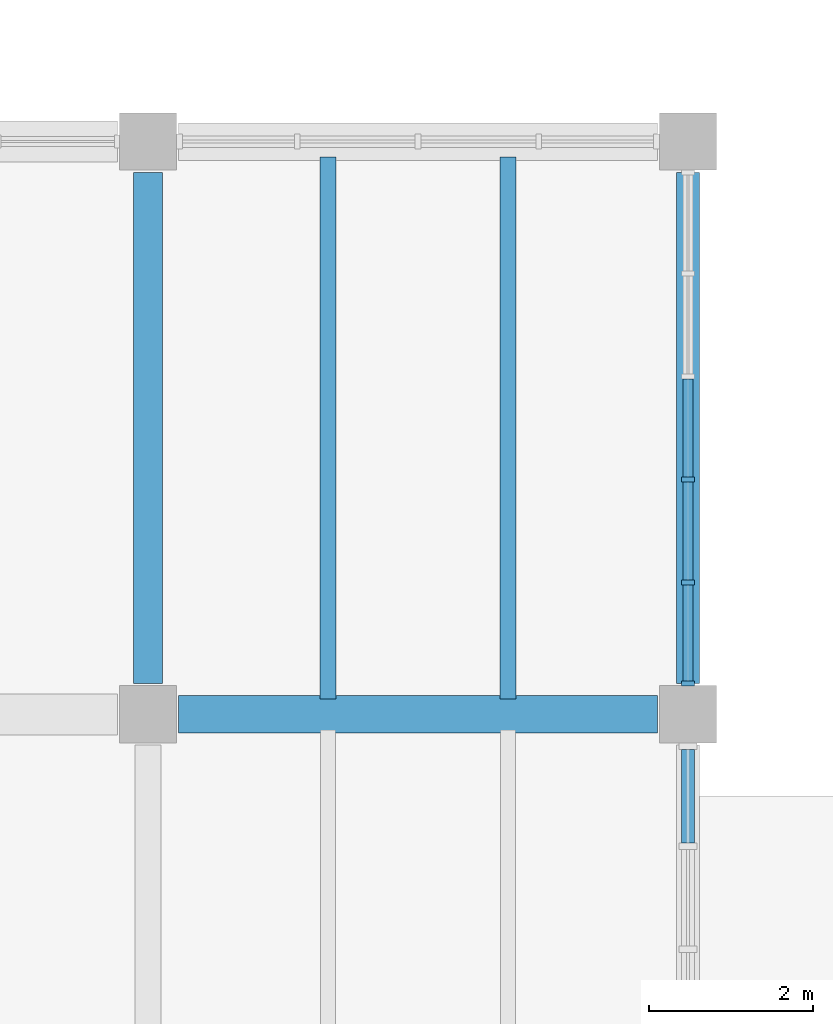
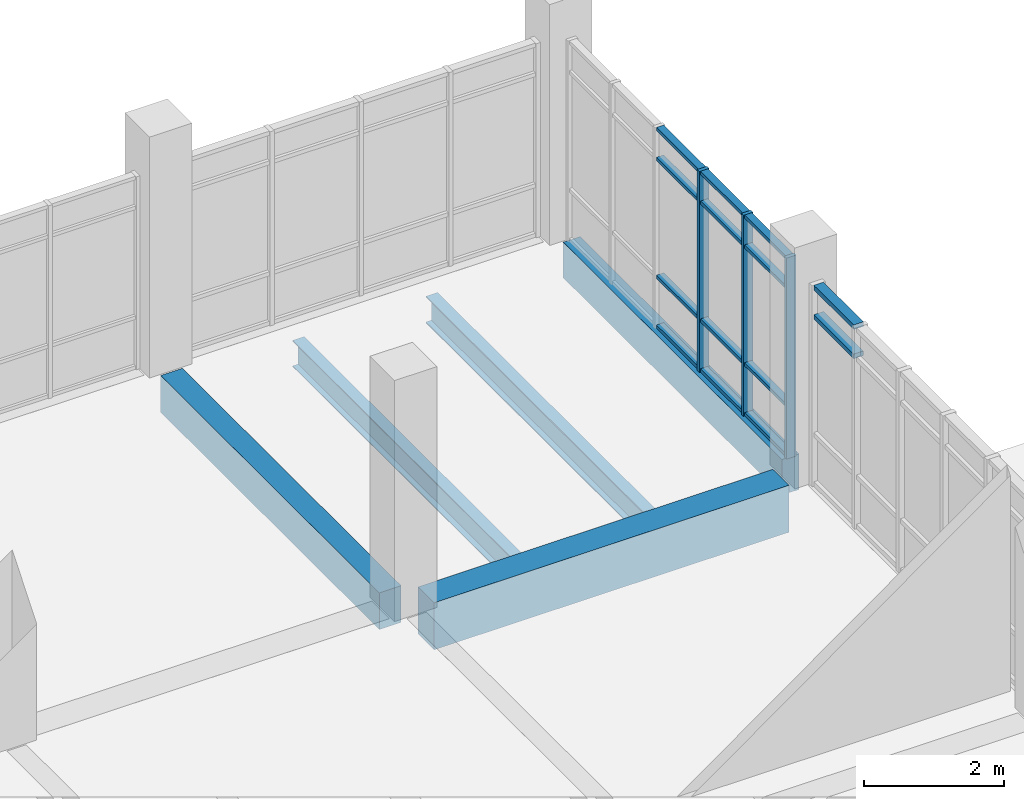
# One storey, part 15 of 69: 17 members, 5 beams, 2 elements without a shape of their own.
"""IFC4 building model written with IfcOpenShell, lengths in metres."""

from ifc_helpers import new_model, si_unit, direction, frame, origin, origin_2d, place, context, subcontext, project, spatial, rectangle, i_section, extrude, material, material_profile, profile_set, type_object, element, aggregate, save


model = new_model("IFC4")

# Units and contexts
model_context = context("Model", 3, precision=1e-05, world=origin(), true_north=direction((0.0, 1.0)))
body_context = subcontext(model_context, "Body", "Model", "MODEL_VIEW")
ifc_project = project(units=[si_unit("LENGTHUNIT", "METRE"), si_unit("AREAUNIT", "SQUARE_METRE"), si_unit("VOLUMEUNIT", "CUBIC_METRE"), si_unit("PLANEANGLEUNIT", "RADIAN"), si_unit("MASSUNIT", "GRAM", prefix="KILO")], contexts=[model_context])

# Site, building, storey
site_placement = place(None, origin())
site = spatial("IfcSite", under=ifc_project, at=site_placement, CompositionType="ELEMENT")
building_placement = place(site_placement, origin())
building = spatial("IfcBuilding", under=site, at=building_placement, Name="Ciguamira Faculty of Natural Sciences", CompositionType="ELEMENT")
storey_placement = place(building_placement, origin())
storey = spatial("IfcBuildingStorey", under=building, at=storey_placement, Name="L00", CompositionType="ELEMENT", Elevation=0.0)

# Curtain wall, members
ifc_material_1 = material(Name="Anodized aluminium curtain wall", Category="aluminium")
curtain_wall_type_1 = type_object("IfcCurtainWallType", Name="CurtainWall_CW-01", PredefinedType="USERDEFINED", material=ifc_material_1)
curtain_wall_1_placement = place(storey_placement, origin())
curtain_wall_1 = element("IfcCurtainWall", 1, at=curtain_wall_1_placement, inside=storey, type_object=curtain_wall_type_1, Name="L00 unitised curtain wall 0025", ObjectType="UNITISED CURTAIN WALL", PredefinedType="USERDEFINED")
ifc_material_2 = material(Name="Anodized aluminium mullion", Category="aluminium")
ifc_material_profile_1 = material_profile(ifc_material_2, rectangle(XDim=0.06005859375, YDim=0.159912109375, at=origin_2d()), Name="ALU-MUL-60X160")
ifc_profile_set_1 = profile_set([ifc_material_profile_1], Name="Anodized aluminium mullion")
member_type_1 = type_object("IfcMemberType", Name="CWMullion_CWM-01", PredefinedType="MULLION", material=ifc_profile_set_1)
member_1_placement = place(storey_placement, frame((123.300048828125, 31.3798828125, 0.0), z_axis=(0.0, 0.0, 1.0), x_axis=(0.0, 1.0, 0.0)))
member_1 = element("IfcMember", 2, at=member_1_placement, type_object=member_type_1, Name="CW-01 mullion 1", PredefinedType="MULLION", context=body_context, shape_type="SweptSolid", body=[
    extrude(rectangle(XDim=0.06005859375, YDim=0.159912109375, at=origin_2d()), origin(), (0.0, 0.0, 1.0), 3.5048828125),
])
member_2_placement = place(storey_placement, frame((123.300048828125, 32.610107421875, 0.0), z_axis=(0.0, 0.0, 1.0), x_axis=(0.0, 1.0, 0.0)))
member_2 = element("IfcMember", 3, at=member_2_placement, type_object=member_type_1, Name="CW-01 mullion 2", PredefinedType="MULLION", context=body_context, shape_type="SweptSolid", body=[
    extrude(rectangle(XDim=0.06005859375, YDim=0.159912109375, at=origin_2d()), origin(), (0.0, 0.0, 1.0), 3.5048828125),
])
member_3_placement = place(storey_placement, frame((123.300048828125, 33.8701171875, 0.0), z_axis=(0.0, 0.0, 1.0), x_axis=(0.0, 1.0, 0.0)))
member_3 = element("IfcMember", 4, at=member_3_placement, type_object=member_type_1, Name="CW-01 mullion 3", PredefinedType="MULLION", context=body_context, shape_type="SweptSolid", body=[
    extrude(rectangle(XDim=0.06005859375, YDim=0.159912109375, at=origin_2d()), origin(), (0.0, 0.0, 1.0), 3.5048828125),
])
ifc_material_3 = material(Name="Anodized aluminium transom", Category="aluminium")
ifc_material_profile_2 = material_profile(ifc_material_3, rectangle(XDim=0.06005859375, YDim=0.1201171875, at=origin_2d()), Name="ALU-TRN-60X120")
ifc_profile_set_2 = profile_set([ifc_material_profile_2], Name="Anodized aluminium transom")
member_type_2 = type_object("IfcMemberType", Name="CWTransom_CWT-01", PredefinedType="USERDEFINED", material=ifc_profile_set_2)
member_4_placement = place(storey_placement, frame((123.300048828125, 31.409912109375, 0.030029296875), z_axis=(0.0, 1.0, 0.0), x_axis=(0.0, 0.0, 1.0)))
member_4 = element("IfcMember", 5, at=member_4_placement, type_object=member_type_2, Name="CW-01 transom 1.1", ObjectType="TRANSOM", PredefinedType="USERDEFINED", context=body_context, shape_type="SweptSolid", body=[
    extrude(rectangle(XDim=0.06005859375, YDim=0.1201171875, at=origin_2d()), origin(), (0.0, 0.0, 1.0), 1.170166015625),
])
member_5_placement = place(storey_placement, frame((123.300048828125, 31.409912109375, 0.89990234375), z_axis=(0.0, 1.0, 0.0), x_axis=(0.0, 0.0, 1.0)))
member_5 = element("IfcMember", 6, at=member_5_placement, type_object=member_type_2, Name="CW-01 transom 1.2", ObjectType="TRANSOM", PredefinedType="USERDEFINED", context=body_context, shape_type="SweptSolid", body=[
    extrude(rectangle(XDim=0.06005859375, YDim=0.1201171875, at=origin_2d()), origin(), (0.0, 0.0, 1.0), 1.170166015625),
])
member_6_placement = place(storey_placement, frame((123.300048828125, 31.409912109375, 2.955078125), z_axis=(0.0, 1.0, 0.0), x_axis=(0.0, 0.0, 1.0)))
member_6 = element("IfcMember", 7, at=member_6_placement, type_object=member_type_2, Name="CW-01 transom 1.3", ObjectType="TRANSOM", PredefinedType="USERDEFINED", context=body_context, shape_type="SweptSolid", body=[
    extrude(rectangle(XDim=0.06005859375, YDim=0.1201171875, at=origin_2d()), origin(), (0.0, 0.0, 1.0), 1.170166015625),
])
member_7_placement = place(storey_placement, frame((123.300048828125, 31.409912109375, 3.47509765625), z_axis=(0.0, 1.0, 0.0), x_axis=(0.0, 0.0, 1.0)))
member_7 = element("IfcMember", 8, at=member_7_placement, type_object=member_type_2, Name="CW-01 transom 1.4", ObjectType="TRANSOM", PredefinedType="USERDEFINED", context=body_context, shape_type="SweptSolid", body=[
    extrude(rectangle(XDim=0.06005859375, YDim=0.1201171875, at=origin_2d()), origin(), (0.0, 0.0, 1.0), 1.170166015625),
])
member_8_placement = place(storey_placement, frame((123.300048828125, 32.639892578125, 0.030029296875), z_axis=(0.0, 1.0, 0.0), x_axis=(0.0, 0.0, 1.0)))
member_8 = element("IfcMember", 9, at=member_8_placement, type_object=member_type_2, Name="CW-01 transom 2.1", ObjectType="TRANSOM", PredefinedType="USERDEFINED", context=body_context, shape_type="SweptSolid", body=[
    extrude(rectangle(XDim=0.06005859375, YDim=0.1201171875, at=origin_2d()), origin(), (0.0, 0.0, 1.0), 1.2001953125),
])
member_9_placement = place(storey_placement, frame((123.300048828125, 32.639892578125, 0.89990234375), z_axis=(0.0, 1.0, 0.0), x_axis=(0.0, 0.0, 1.0)))
member_9 = element("IfcMember", 10, at=member_9_placement, type_object=member_type_2, Name="CW-01 transom 2.2", ObjectType="TRANSOM", PredefinedType="USERDEFINED", context=body_context, shape_type="SweptSolid", body=[
    extrude(rectangle(XDim=0.06005859375, YDim=0.1201171875, at=origin_2d()), origin(), (0.0, 0.0, 1.0), 1.2001953125),
])
member_10_placement = place(storey_placement, frame((123.300048828125, 32.639892578125, 2.955078125), z_axis=(0.0, 1.0, 0.0), x_axis=(0.0, 0.0, 1.0)))
member_10 = element("IfcMember", 11, at=member_10_placement, type_object=member_type_2, Name="CW-01 transom 2.3", ObjectType="TRANSOM", PredefinedType="USERDEFINED", context=body_context, shape_type="SweptSolid", body=[
    extrude(rectangle(XDim=0.06005859375, YDim=0.1201171875, at=origin_2d()), origin(), (0.0, 0.0, 1.0), 1.2001953125),
])
member_11_placement = place(storey_placement, frame((123.300048828125, 32.639892578125, 3.47509765625), z_axis=(0.0, 1.0, 0.0), x_axis=(0.0, 0.0, 1.0)))
member_11 = element("IfcMember", 12, at=member_11_placement, type_object=member_type_2, Name="CW-01 transom 2.4", ObjectType="TRANSOM", PredefinedType="USERDEFINED", context=body_context, shape_type="SweptSolid", body=[
    extrude(rectangle(XDim=0.06005859375, YDim=0.1201171875, at=origin_2d()), origin(), (0.0, 0.0, 1.0), 1.2001953125),
])
member_12_placement = place(storey_placement, frame((123.300048828125, 33.89990234375, 0.030029296875), z_axis=(0.0, 1.0, 0.0), x_axis=(0.0, 0.0, 1.0)))
member_12 = element("IfcMember", 13, at=member_12_placement, type_object=member_type_2, Name="CW-01 transom 3.1", ObjectType="TRANSOM", PredefinedType="USERDEFINED", context=body_context, shape_type="SweptSolid", body=[
    extrude(rectangle(XDim=0.06005859375, YDim=0.1201171875, at=origin_2d()), origin(), (0.0, 0.0, 1.0), 1.2001953125),
])
member_13_placement = place(storey_placement, frame((123.300048828125, 33.89990234375, 0.89990234375), z_axis=(0.0, 1.0, 0.0), x_axis=(0.0, 0.0, 1.0)))
member_13 = element("IfcMember", 14, at=member_13_placement, type_object=member_type_2, Name="CW-01 transom 3.2", ObjectType="TRANSOM", PredefinedType="USERDEFINED", context=body_context, shape_type="SweptSolid", body=[
    extrude(rectangle(XDim=0.06005859375, YDim=0.1201171875, at=origin_2d()), origin(), (0.0, 0.0, 1.0), 1.2001953125),
])
member_14_placement = place(storey_placement, frame((123.300048828125, 33.89990234375, 2.955078125), z_axis=(0.0, 1.0, 0.0), x_axis=(0.0, 0.0, 1.0)))
member_14 = element("IfcMember", 15, at=member_14_placement, type_object=member_type_2, Name="CW-01 transom 3.3", ObjectType="TRANSOM", PredefinedType="USERDEFINED", context=body_context, shape_type="SweptSolid", body=[
    extrude(rectangle(XDim=0.06005859375, YDim=0.1201171875, at=origin_2d()), origin(), (0.0, 0.0, 1.0), 1.2001953125),
])
member_15_placement = place(storey_placement, frame((123.300048828125, 33.89990234375, 3.47509765625), z_axis=(0.0, 1.0, 0.0), x_axis=(0.0, 0.0, 1.0)))
member_15 = element("IfcMember", 16, at=member_15_placement, type_object=member_type_2, Name="CW-01 transom 3.4", ObjectType="TRANSOM", PredefinedType="USERDEFINED", context=body_context, shape_type="SweptSolid", body=[
    extrude(rectangle(XDim=0.06005859375, YDim=0.1201171875, at=origin_2d()), origin(), (0.0, 0.0, 1.0), 1.2001953125),
])
aggregate(curtain_wall_1, [member_1, member_2, member_3, member_4, member_5, member_6, member_7, member_8, member_9, member_10, member_11, member_12, member_13, member_14, member_15])

curtain_wall_type_2 = type_object("IfcCurtainWallType", Name="CurtainWall_CW-12", PredefinedType="USERDEFINED", material=ifc_material_1)
curtain_wall_2_placement = place(storey_placement, origin())
curtain_wall_2 = element("IfcCurtainWall", 17, at=curtain_wall_2_placement, inside=storey, type_object=curtain_wall_type_2, Name="L00 unitised curtain wall 0024", ObjectType="UNITISED CURTAIN WALL", PredefinedType="USERDEFINED")
ifc_material_profile_3 = material_profile(ifc_material_3, rectangle(XDim=0.080078125, YDim=0.159912109375, at=origin_2d()), Name="ALU-TRN-80X160")
ifc_profile_set_3 = profile_set([ifc_material_profile_3], Name="Anodized aluminium transom")
member_type_3 = type_object("IfcMemberType", Name="CWTransom_CWT-03", PredefinedType="USERDEFINED", material=ifc_profile_set_3)
member_16_placement = place(storey_placement, frame((123.300048828125, 29.429931640625, 2.955078125), z_axis=(0.0, 1.0, 0.0), x_axis=(0.0, 0.0, 1.0)))
member_16 = element("IfcMember", 18, at=member_16_placement, type_object=member_type_3, Name="CW-12 transom 5.3", ObjectType="TRANSOM", PredefinedType="USERDEFINED", context=body_context, shape_type="SweptSolid", body=[
    extrude(rectangle(XDim=0.080078125, YDim=0.159912109375, at=origin_2d()), origin(), (0.0, 0.0, 1.0), 1.14013671875),
])
member_17_placement = place(storey_placement, frame((123.300048828125, 29.429931640625, 3.465087890625), z_axis=(0.0, 1.0, 0.0), x_axis=(0.0, 0.0, 1.0)))
member_17 = element("IfcMember", 19, at=member_17_placement, type_object=member_type_3, Name="CW-12 transom 5.4", ObjectType="TRANSOM", PredefinedType="USERDEFINED", context=body_context, shape_type="SweptSolid", body=[
    extrude(rectangle(XDim=0.080078125, YDim=0.159912109375, at=origin_2d()), origin(), (0.0, 0.0, 1.0), 1.14013671875),
])
aggregate(curtain_wall_2, [member_16, member_17])

# Beams
ifc_material_4 = material(Name="Concrete C40/50", Category="concrete")
ifc_material_profile_4 = material_profile(ifc_material_4, rectangle(XDim=0.4599609375, YDim=0.820068359375, at=origin_2d()), Name="RC-BM-460X820")
ifc_profile_set_4 = profile_set([ifc_material_profile_4], Name="Concrete C40/50")
beam_type_1 = type_object("IfcBeamType", Name="RCBeam_BG-04_RC-BM-460X820", PredefinedType="BEAM", material=ifc_profile_set_4)
beam_1_placement = place(storey_placement, frame((117.074951171875, 31.0, -0.409912109375), z_axis=(1.0, 0.0, 0.0), x_axis=(0.0, 1.0, 0.0)))
element("IfcBeam", 20, at=beam_1_placement, inside=storey, type_object=beam_type_1, Name="L00 RC girder EW-0088", PredefinedType="BEAM", context=body_context, shape_type="SweptSolid", body=[
    extrude(rectangle(XDim=0.4599609375, YDim=0.820068359375, at=origin_2d()), origin(), (0.0, 0.0, 1.0), 5.85009765625),
])
ifc_material_profile_5 = material_profile(ifc_material_4, rectangle(XDim=0.360107421875, YDim=0.639892578125, at=origin_2d()), Name="RC-BM-360X640")
ifc_profile_set_5 = profile_set([ifc_material_profile_5], Name="Concrete C40/50")
beam_type_2 = type_object("IfcBeamType", Name="RCBeam_BG-10_RC-BM-360X640", PredefinedType="BEAM", material=ifc_profile_set_5)
beam_2_placement = place(storey_placement, frame((116.699951171875, 31.375, -0.320068359375), z_axis=(0.0, 1.0, 0.0), x_axis=(-1.0, 0.0, 0.0)))
element("IfcBeam", 21, at=beam_2_placement, inside=storey, type_object=beam_type_2, Name="L00 girder NS-0328", PredefinedType="BEAM", context=body_context, shape_type="SweptSolid", body=[
    extrude(rectangle(XDim=0.360107421875, YDim=0.639892578125, at=origin_2d()), origin(), (0.0, 0.0, 1.0), 6.25),
])
ifc_material_5 = material(Name="Precast concrete C40/50", Category="concrete")
ifc_material_profile_6 = material_profile(ifc_material_5, rectangle(XDim=0.280029296875, YDim=0.6201171875, at=origin_2d()), Name="RC-SP-280X620")
ifc_profile_set_6 = profile_set([ifc_material_profile_6], Name="Precast concrete C40/50")
beam_type_3 = type_object("IfcBeamType", Name="RCBeam_SP-01_RC-SP-280X620", PredefinedType="SPANDREL", material=ifc_profile_set_6)
beam_3_placement = place(storey_placement, frame((123.300048828125, 31.375, -0.31005859375), z_axis=(0.0, 1.0, 0.0), x_axis=(-1.0, 0.0, 0.0)))
element("IfcBeam", 22, at=beam_3_placement, inside=storey, type_object=beam_type_3, Name="L00 girder NS-0342", PredefinedType="SPANDREL", context=body_context, shape_type="SweptSolid", body=[
    extrude(rectangle(XDim=0.280029296875, YDim=0.6201171875, at=origin_2d()), origin(), (0.0, 0.0, 1.0), 6.25),
])
ifc_material_6 = material(Name="Steel ASTM A992 Grade 50", Category="steel")
ifc_material_profile_7 = material_profile(ifc_material_6, i_section(OverallWidth=0.1904296875, OverallDepth=0.457275390625, WebThickness=0.009033203125, FlangeThickness=0.014404296875, at=origin_2d()), Name="W18X50")
ifc_profile_set_7 = profile_set([ifc_material_profile_7], Name="Steel ASTM A992 Grade 50")
beam_type_4 = type_object("IfcBeamType", Name="SteelJoist_SJ-23_W18X50", PredefinedType="JOIST", material=ifc_profile_set_7)
beam_4_placement = place(storey_placement, frame((118.89990234375, 31.18994140625, -0.528564453125), z_axis=(0.0, 1.0, 0.0), x_axis=(-1.0, 0.0, 0.0)))
element("IfcBeam", 23, at=beam_4_placement, inside=storey, type_object=beam_type_4, Name="L00 composite steel joist 00311", PredefinedType="JOIST", context=body_context, shape_type="SweptSolid", body=[
    extrude(i_section(OverallWidth=0.1904296875, OverallDepth=0.457275390625, WebThickness=0.009033203125, FlangeThickness=0.014404296875, at=origin_2d()), origin(), (0.0, 0.0, 1.0), 6.6201171875),
])
ifc_material_profile_8 = material_profile(ifc_material_6, i_section(OverallWidth=0.19287109375, OverallDepth=0.46728515625, WebThickness=0.011474609375, FlangeThickness=0.01904296875, at=origin_2d()), Name="W18X65")
ifc_profile_set_8 = profile_set([ifc_material_profile_8], Name="Steel ASTM A992 Grade 50")
beam_type_5 = type_object("IfcBeamType", Name="SteelJoist_SJ-24_W18X65", PredefinedType="JOIST", material=ifc_profile_set_8)
beam_5_placement = place(storey_placement, frame((121.10009765625, 31.18994140625, -0.53369140625), z_axis=(0.0, 1.0, 0.0), x_axis=(-1.0, 0.0, 0.0)))
element("IfcBeam", 24, at=beam_5_placement, inside=storey, type_object=beam_type_5, Name="L00 composite steel joist 00312", PredefinedType="JOIST", context=body_context, shape_type="SweptSolid", body=[
    extrude(i_section(OverallWidth=0.19287109375, OverallDepth=0.46728515625, WebThickness=0.011474609375, FlangeThickness=0.01904296875, at=origin_2d()), origin(), (0.0, 0.0, 1.0), 6.6201171875),
])

save(model, "model.ifc")
